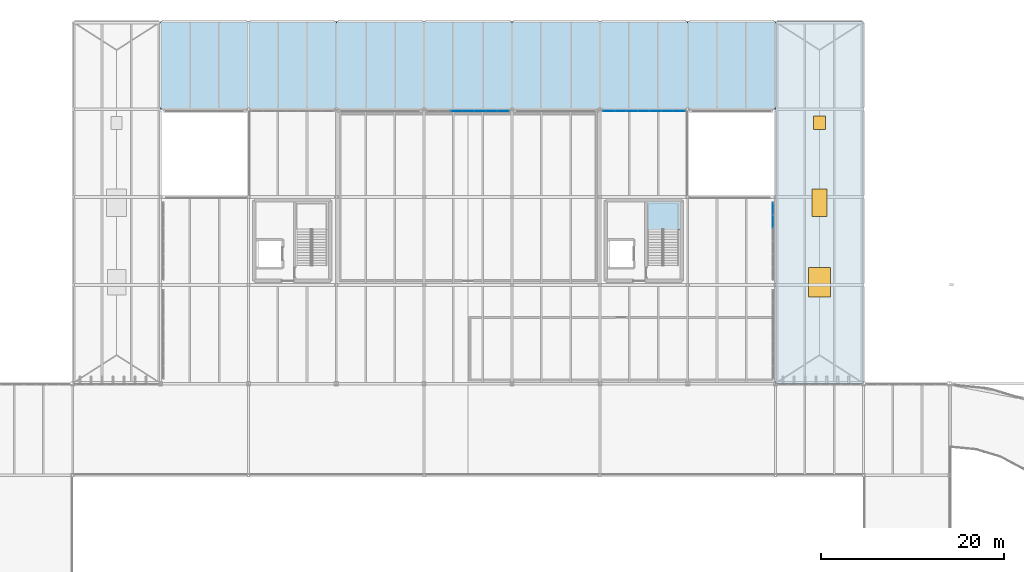
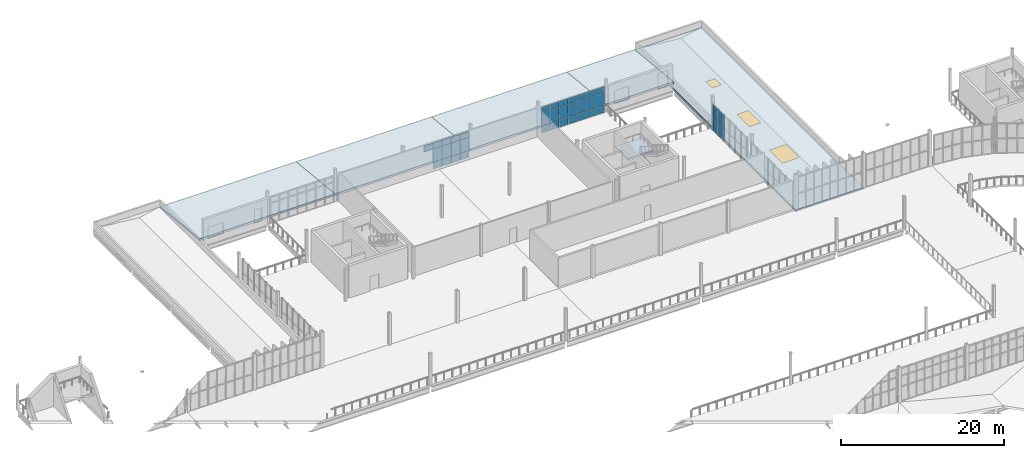
# One storey, part 82 of 112: 38 plates, 6 slabs, 2 windows, 1 door, 3 openings, 4 elements without a shape of their own.
"""IFC4 building model written with IfcOpenShell, lengths in metres."""

from ifc_helpers import new_model, si_unit, direction, frame, origin, origin_2d, place, context, subcontext, project, spatial, polyline, rectangle, outline, extrude, material, layer, layer_set, type_object, element, fill, aggregate, save


model = new_model("IFC4")

# Units and contexts
model_context = context("Model", 3, precision=1e-05, world=origin(), true_north=direction((0.0, 1.0)))
body_context = subcontext(model_context, "Body", "Model", "MODEL_VIEW")
ifc_project = project(units=[si_unit("LENGTHUNIT", "METRE"), si_unit("AREAUNIT", "SQUARE_METRE"), si_unit("VOLUMEUNIT", "CUBIC_METRE"), si_unit("PLANEANGLEUNIT", "RADIAN"), si_unit("MASSUNIT", "GRAM", prefix="KILO")], contexts=[model_context])

# Site, building, storey
site_placement = place(None, origin())
site = spatial("IfcSite", under=ifc_project, at=site_placement, CompositionType="ELEMENT")
building_placement = place(site_placement, origin())
building = spatial("IfcBuilding", under=site, at=building_placement, Name="Yeouljin Market Hall", CompositionType="ELEMENT")
storey_placement = place(building_placement, frame((0.0, 0.0, 6.0)))
storey = spatial("IfcBuildingStorey", under=building, at=storey_placement, Name="L01", CompositionType="ELEMENT", Elevation=6.0)

# Curtain wall, plates
ifc_material_1 = material(Name="Thermally Broken Aluminium", Category="aluminium")
ifc_layer_1 = layer(ifc_material_1, 0.14990234375)
ifc_layer_set_1 = layer_set([ifc_layer_1], Name="Thermally Broken Aluminium")
curtain_wall_type_1 = type_object("IfcCurtainWallType", Name="CW_AcademyRibbon_System", PredefinedType="USERDEFINED", material=ifc_layer_set_1)
curtain_wall_1_placement = place(storey_placement, origin())
curtain_wall_1 = element("IfcCurtainWall", 1, at=curtain_wall_1_placement, inside=storey, type_object=curtain_wall_type_1, Name="Curtain wall CW-L01-W20", ObjectType="CURTAIN WALL", PredefinedType="USERDEFINED")
ifc_material_2 = material(Name="Anodised Bronze Spandrel Panel")
ifc_layer_2 = layer(ifc_material_2, 0.0439453125)
ifc_layer_set_2 = layer_set([ifc_layer_2], Name="Anodised Bronze Spandrel Panel")
plate_type_1 = type_object("IfcPlateType", Name="CWPanel_BronzeSpandrel_44", PredefinedType="CURTAIN_PANEL", material=ifc_layer_set_2)
plate_1_placement = place(storey_placement, frame((86.914306640625, 107.800048828125, 3.07421875), z_axis=(0.0, 0.0, 1.0), x_axis=(1.0, 0.0, 0.0)))
plate_1 = element("IfcPlate", 2, at=plate_1_placement, type_object=plate_type_1, Name="CW-05 panel 3.3", PredefinedType="CURTAIN_PANEL", context=body_context, shape_type="SweptSolid", body=[
    extrude(rectangle(XDim=1.23779296875, YDim=0.0439453125, at=origin_2d()), origin(), (0.0, 0.0, 1.0), 0.827880859375),
])
plate_2_placement = place(storey_placement, frame((88.199951171875, 107.800048828125, 0.0478515625), z_axis=(0.0, 0.0, 1.0), x_axis=(1.0, 0.0, 0.0)))
plate_2 = element("IfcPlate", 3, at=plate_2_placement, type_object=plate_type_1, Name="CW-05 panel 4.1", PredefinedType="CURTAIN_PANEL", context=body_context, shape_type="SweptSolid", body=[
    extrude(rectangle(XDim=1.23779296875, YDim=0.0439453125, at=origin_2d()), origin(), (0.0, 0.0, 1.0), 1.028076171875),
])
plate_3_placement = place(storey_placement, frame((88.199951171875, 107.800048828125, 1.1240234375), z_axis=(0.0, 0.0, 1.0), x_axis=(1.0, 0.0, 0.0)))
plate_3 = element("IfcPlate", 4, at=plate_3_placement, type_object=plate_type_1, Name="CW-05 panel 4.2", PredefinedType="CURTAIN_PANEL", context=body_context, shape_type="SweptSolid", body=[
    extrude(rectangle(XDim=1.23779296875, YDim=0.0439453125, at=origin_2d()), origin(), (0.0, 0.0, 1.0), 1.902099609375),
])
plate_4_placement = place(storey_placement, frame((88.199951171875, 107.800048828125, 3.07421875), z_axis=(0.0, 0.0, 1.0), x_axis=(1.0, 0.0, 0.0)))
plate_4 = element("IfcPlate", 5, at=plate_4_placement, type_object=plate_type_1, Name="CW-05 panel 4.3", PredefinedType="CURTAIN_PANEL", context=body_context, shape_type="SweptSolid", body=[
    extrude(rectangle(XDim=1.23779296875, YDim=0.0439453125, at=origin_2d()), origin(), (0.0, 0.0, 1.0), 0.827880859375),
])
plate_5_placement = place(storey_placement, frame((89.485595703125, 107.800048828125, 0.0478515625), z_axis=(0.0, 0.0, 1.0), x_axis=(1.0, 0.0, 0.0)))
plate_5 = element("IfcPlate", 6, at=plate_5_placement, type_object=plate_type_1, Name="CW-05 panel 5.1", PredefinedType="CURTAIN_PANEL", context=body_context, shape_type="SweptSolid", body=[
    extrude(rectangle(XDim=1.23779296875, YDim=0.0439453125, at=origin_2d()), origin(), (0.0, 0.0, 1.0), 1.028076171875),
])
plate_6_placement = place(storey_placement, frame((89.485595703125, 107.800048828125, 1.1240234375), z_axis=(0.0, 0.0, 1.0), x_axis=(1.0, 0.0, 0.0)))
plate_6 = element("IfcPlate", 7, at=plate_6_placement, type_object=plate_type_1, Name="CW-05 panel 5.2", PredefinedType="CURTAIN_PANEL", context=body_context, shape_type="SweptSolid", body=[
    extrude(rectangle(XDim=1.23779296875, YDim=0.0439453125, at=origin_2d()), origin(), (0.0, 0.0, 1.0), 1.902099609375),
])
plate_7_placement = place(storey_placement, frame((89.485595703125, 107.800048828125, 3.07421875), z_axis=(0.0, 0.0, 1.0), x_axis=(1.0, 0.0, 0.0)))
plate_7 = element("IfcPlate", 8, at=plate_7_placement, type_object=plate_type_1, Name="CW-05 panel 5.3", PredefinedType="CURTAIN_PANEL", context=body_context, shape_type="SweptSolid", body=[
    extrude(rectangle(XDim=1.23779296875, YDim=0.0439453125, at=origin_2d()), origin(), (0.0, 0.0, 1.0), 0.827880859375),
])
plate_8_placement = place(storey_placement, frame((90.771484375, 107.800048828125, 0.0478515625), z_axis=(0.0, 0.0, 1.0), x_axis=(1.0, 0.0, 0.0)))
plate_8 = element("IfcPlate", 9, at=plate_8_placement, type_object=plate_type_1, Name="CW-05 panel 6.1", PredefinedType="CURTAIN_PANEL", context=body_context, shape_type="SweptSolid", body=[
    extrude(rectangle(XDim=1.23779296875, YDim=0.0439453125, at=origin_2d()), origin(), (0.0, 0.0, 1.0), 1.028076171875),
])
plate_9_placement = place(storey_placement, frame((90.771484375, 107.800048828125, 1.1240234375), z_axis=(0.0, 0.0, 1.0), x_axis=(1.0, 0.0, 0.0)))
plate_9 = element("IfcPlate", 10, at=plate_9_placement, type_object=plate_type_1, Name="CW-05 panel 6.2", PredefinedType="CURTAIN_PANEL", context=body_context, shape_type="SweptSolid", body=[
    extrude(rectangle(XDim=1.23779296875, YDim=0.0439453125, at=origin_2d()), origin(), (0.0, 0.0, 1.0), 1.902099609375),
])
plate_10_placement = place(storey_placement, frame((90.771484375, 107.800048828125, 3.07421875), z_axis=(0.0, 0.0, 1.0), x_axis=(1.0, 0.0, 0.0)))
plate_10 = element("IfcPlate", 11, at=plate_10_placement, type_object=plate_type_1, Name="CW-05 panel 6.3", PredefinedType="CURTAIN_PANEL", context=body_context, shape_type="SweptSolid", body=[
    extrude(rectangle(XDim=1.23779296875, YDim=0.0439453125, at=origin_2d()), origin(), (0.0, 0.0, 1.0), 0.827880859375),
])
plate_11_placement = place(storey_placement, frame((92.045166015625, 107.800048828125, 0.0478515625), z_axis=(0.0, 0.0, 1.0), x_axis=(1.0, 0.0, 0.0)))
plate_11 = element("IfcPlate", 12, at=plate_11_placement, type_object=plate_type_1, Name="CW-05 panel 7.1", PredefinedType="CURTAIN_PANEL", context=body_context, shape_type="SweptSolid", body=[
    extrude(rectangle(XDim=1.213623046875, YDim=0.0439453125, at=origin_2d()), origin(), (0.0, 0.0, 1.0), 1.028076171875),
])
plate_12_placement = place(storey_placement, frame((92.045166015625, 107.800048828125, 1.1240234375), z_axis=(0.0, 0.0, 1.0), x_axis=(1.0, 0.0, 0.0)))
plate_12 = element("IfcPlate", 13, at=plate_12_placement, type_object=plate_type_1, Name="CW-05 panel 7.2", PredefinedType="CURTAIN_PANEL", context=body_context, shape_type="SweptSolid", body=[
    extrude(rectangle(XDim=1.213623046875, YDim=0.0439453125, at=origin_2d()), origin(), (0.0, 0.0, 1.0), 1.902099609375),
])
plate_13_placement = place(storey_placement, frame((92.045166015625, 107.800048828125, 3.07421875), z_axis=(0.0, 0.0, 1.0), x_axis=(1.0, 0.0, 0.0)))
plate_13 = element("IfcPlate", 14, at=plate_13_placement, type_object=plate_type_1, Name="CW-05 panel 7.3", PredefinedType="CURTAIN_PANEL", context=body_context, shape_type="SweptSolid", body=[
    extrude(rectangle(XDim=1.213623046875, YDim=0.0439453125, at=origin_2d()), origin(), (0.0, 0.0, 1.0), 0.827880859375),
])
aggregate(curtain_wall_1, [plate_1, plate_2, plate_3, plate_4, plate_5, plate_6, plate_7, plate_8, plate_9, plate_10, plate_11, plate_12, plate_13])

curtain_wall_2_placement = place(storey_placement, origin())
curtain_wall_2 = element("IfcCurtainWall", 15, at=curtain_wall_2_placement, inside=storey, type_object=curtain_wall_type_1, Name="Curtain wall CW-L01-W22", ObjectType="CURTAIN WALL", PredefinedType="USERDEFINED")
ifc_material_3 = material(Name="Low-E Insulated Glass", Category="glass")
ifc_layer_3 = layer(ifc_material_3, 0.028076171875)
ifc_layer_set_3 = layer_set([ifc_layer_3], Name="Low-E Insulated Glass")
plate_type_2 = type_object("IfcPlateType", Name="CWPanel_LowE_28", PredefinedType="CURTAIN_PANEL", material=ifc_layer_set_3)
plate_14_placement = place(storey_placement, frame((103.554931640625, 107.800048828125, 0.0478515625), z_axis=(0.0, 0.0, 1.0), x_axis=(1.0, 0.0, 0.0)))
plate_14 = element("IfcPlate", 16, at=plate_14_placement, type_object=plate_type_2, Name="CW-05 panel 1.1", PredefinedType="CURTAIN_PANEL", context=body_context, shape_type="SweptSolid", body=[
    extrude(rectangle(XDim=1.213623046875, YDim=0.028076171875, at=origin_2d()), origin(), (0.0, 0.0, 1.0), 1.028076171875),
])
plate_15_placement = place(storey_placement, frame((103.554931640625, 107.800048828125, 1.1240234375), z_axis=(0.0, 0.0, 1.0), x_axis=(1.0, 0.0, 0.0)))
plate_15 = element("IfcPlate", 17, at=plate_15_placement, type_object=plate_type_2, Name="CW-05 panel 1.2", PredefinedType="CURTAIN_PANEL", context=body_context, shape_type="SweptSolid", body=[
    extrude(rectangle(XDim=1.213623046875, YDim=0.028076171875, at=origin_2d()), origin(), (0.0, 0.0, 1.0), 1.902099609375),
])
plate_16_placement = place(storey_placement, frame((103.554931640625, 107.800048828125, 3.07421875), z_axis=(0.0, 0.0, 1.0), x_axis=(1.0, 0.0, 0.0)))
plate_16 = element("IfcPlate", 18, at=plate_16_placement, type_object=plate_type_2, Name="CW-05 panel 1.3", PredefinedType="CURTAIN_PANEL", context=body_context, shape_type="SweptSolid", body=[
    extrude(rectangle(XDim=1.213623046875, YDim=0.028076171875, at=origin_2d()), origin(), (0.0, 0.0, 1.0), 0.827880859375),
])
plate_17_placement = place(storey_placement, frame((104.82861328125, 107.800048828125, 0.0478515625), z_axis=(0.0, 0.0, 1.0), x_axis=(1.0, 0.0, 0.0)))
plate_17 = element("IfcPlate", 19, at=plate_17_placement, type_object=plate_type_2, Name="CW-05 panel 2.1", PredefinedType="CURTAIN_PANEL", context=body_context, shape_type="SweptSolid", body=[
    extrude(rectangle(XDim=1.23779296875, YDim=0.028076171875, at=origin_2d()), origin(), (0.0, 0.0, 1.0), 1.028076171875),
])
plate_18_placement = place(storey_placement, frame((104.82861328125, 107.800048828125, 1.1240234375), z_axis=(0.0, 0.0, 1.0), x_axis=(1.0, 0.0, 0.0)))
plate_18 = element("IfcPlate", 20, at=plate_18_placement, type_object=plate_type_2, Name="CW-05 panel 2.2", PredefinedType="CURTAIN_PANEL", context=body_context, shape_type="SweptSolid", body=[
    extrude(rectangle(XDim=1.23779296875, YDim=0.028076171875, at=origin_2d()), origin(), (0.0, 0.0, 1.0), 1.902099609375),
])
plate_19_placement = place(storey_placement, frame((104.82861328125, 107.800048828125, 3.07421875), z_axis=(0.0, 0.0, 1.0), x_axis=(1.0, 0.0, 0.0)))
plate_19 = element("IfcPlate", 21, at=plate_19_placement, type_object=plate_type_2, Name="CW-05 panel 2.3", PredefinedType="CURTAIN_PANEL", context=body_context, shape_type="SweptSolid", body=[
    extrude(rectangle(XDim=1.23779296875, YDim=0.028076171875, at=origin_2d()), origin(), (0.0, 0.0, 1.0), 0.827880859375),
])
plate_20_placement = place(storey_placement, frame((106.1142578125, 107.800048828125, 0.0478515625), z_axis=(0.0, 0.0, 1.0), x_axis=(1.0, 0.0, 0.0)))
plate_20 = element("IfcPlate", 22, at=plate_20_placement, type_object=plate_type_2, Name="CW-05 panel 3.1", PredefinedType="CURTAIN_PANEL", context=body_context, shape_type="SweptSolid", body=[
    extrude(rectangle(XDim=1.23779296875, YDim=0.028076171875, at=origin_2d()), origin(), (0.0, 0.0, 1.0), 1.028076171875),
])
plate_21_placement = place(storey_placement, frame((106.1142578125, 107.800048828125, 1.1240234375), z_axis=(0.0, 0.0, 1.0), x_axis=(1.0, 0.0, 0.0)))
plate_21 = element("IfcPlate", 23, at=plate_21_placement, type_object=plate_type_2, Name="CW-05 panel 3.2", PredefinedType="CURTAIN_PANEL", context=body_context, shape_type="SweptSolid", body=[
    extrude(rectangle(XDim=1.23779296875, YDim=0.028076171875, at=origin_2d()), origin(), (0.0, 0.0, 1.0), 1.902099609375),
])
plate_22_placement = place(storey_placement, frame((106.1142578125, 107.800048828125, 3.07421875), z_axis=(0.0, 0.0, 1.0), x_axis=(1.0, 0.0, 0.0)))
plate_22 = element("IfcPlate", 24, at=plate_22_placement, type_object=plate_type_2, Name="CW-05 panel 3.3", PredefinedType="CURTAIN_PANEL", context=body_context, shape_type="SweptSolid", body=[
    extrude(rectangle(XDim=1.23779296875, YDim=0.028076171875, at=origin_2d()), origin(), (0.0, 0.0, 1.0), 0.827880859375),
])
plate_23_placement = place(storey_placement, frame((107.39990234375, 107.800048828125, 0.0478515625), z_axis=(0.0, 0.0, 1.0), x_axis=(1.0, 0.0, 0.0)))
plate_23 = element("IfcPlate", 25, at=plate_23_placement, type_object=plate_type_2, Name="CW-05 panel 4.1", PredefinedType="CURTAIN_PANEL", context=body_context, shape_type="SweptSolid", body=[
    extrude(rectangle(XDim=1.23779296875, YDim=0.028076171875, at=origin_2d()), origin(), (0.0, 0.0, 1.0), 1.028076171875),
])
plate_24_placement = place(storey_placement, frame((107.39990234375, 107.800048828125, 1.1240234375), z_axis=(0.0, 0.0, 1.0), x_axis=(1.0, 0.0, 0.0)))
plate_24 = element("IfcPlate", 26, at=plate_24_placement, type_object=plate_type_2, Name="CW-05 panel 4.2", PredefinedType="CURTAIN_PANEL", context=body_context, shape_type="SweptSolid", body=[
    extrude(rectangle(XDim=1.23779296875, YDim=0.028076171875, at=origin_2d()), origin(), (0.0, 0.0, 1.0), 1.902099609375),
])
plate_25_placement = place(storey_placement, frame((107.39990234375, 107.800048828125, 3.07421875), z_axis=(0.0, 0.0, 1.0), x_axis=(1.0, 0.0, 0.0)))
plate_25 = element("IfcPlate", 27, at=plate_25_placement, type_object=plate_type_2, Name="CW-05 panel 4.3", PredefinedType="CURTAIN_PANEL", context=body_context, shape_type="SweptSolid", body=[
    extrude(rectangle(XDim=1.23779296875, YDim=0.028076171875, at=origin_2d()), origin(), (0.0, 0.0, 1.0), 0.827880859375),
])
plate_26_placement = place(storey_placement, frame((108.685791015625, 107.800048828125, 0.0478515625), z_axis=(0.0, 0.0, 1.0), x_axis=(1.0, 0.0, 0.0)))
plate_26 = element("IfcPlate", 28, at=plate_26_placement, type_object=plate_type_2, Name="CW-05 panel 5.1", PredefinedType="CURTAIN_PANEL", context=body_context, shape_type="SweptSolid", body=[
    extrude(rectangle(XDim=1.23779296875, YDim=0.028076171875, at=origin_2d()), origin(), (0.0, 0.0, 1.0), 1.028076171875),
])
plate_27_placement = place(storey_placement, frame((108.685791015625, 107.800048828125, 1.1240234375), z_axis=(0.0, 0.0, 1.0), x_axis=(1.0, 0.0, 0.0)))
plate_27 = element("IfcPlate", 29, at=plate_27_placement, type_object=plate_type_2, Name="CW-05 panel 5.2", PredefinedType="CURTAIN_PANEL", context=body_context, shape_type="SweptSolid", body=[
    extrude(rectangle(XDim=1.23779296875, YDim=0.028076171875, at=origin_2d()), origin(), (0.0, 0.0, 1.0), 1.902099609375),
])
plate_28_placement = place(storey_placement, frame((108.685791015625, 107.800048828125, 3.07421875), z_axis=(0.0, 0.0, 1.0), x_axis=(1.0, 0.0, 0.0)))
plate_28 = element("IfcPlate", 30, at=plate_28_placement, type_object=plate_type_2, Name="CW-05 panel 5.3", PredefinedType="CURTAIN_PANEL", context=body_context, shape_type="SweptSolid", body=[
    extrude(rectangle(XDim=1.23779296875, YDim=0.028076171875, at=origin_2d()), origin(), (0.0, 0.0, 1.0), 0.827880859375),
])
plate_29_placement = place(storey_placement, frame((109.971435546875, 107.800048828125, 0.0478515625), z_axis=(0.0, 0.0, 1.0), x_axis=(1.0, 0.0, 0.0)))
plate_29 = element("IfcPlate", 31, at=plate_29_placement, type_object=plate_type_2, Name="CW-05 panel 6.1", PredefinedType="CURTAIN_PANEL", context=body_context, shape_type="SweptSolid", body=[
    extrude(rectangle(XDim=1.23779296875, YDim=0.028076171875, at=origin_2d()), origin(), (0.0, 0.0, 1.0), 1.028076171875),
])
plate_30_placement = place(storey_placement, frame((109.971435546875, 107.800048828125, 1.1240234375), z_axis=(0.0, 0.0, 1.0), x_axis=(1.0, 0.0, 0.0)))
plate_30 = element("IfcPlate", 32, at=plate_30_placement, type_object=plate_type_2, Name="CW-05 panel 6.2", PredefinedType="CURTAIN_PANEL", context=body_context, shape_type="SweptSolid", body=[
    extrude(rectangle(XDim=1.23779296875, YDim=0.028076171875, at=origin_2d()), origin(), (0.0, 0.0, 1.0), 1.902099609375),
])
plate_31_placement = place(storey_placement, frame((109.971435546875, 107.800048828125, 3.07421875), z_axis=(0.0, 0.0, 1.0), x_axis=(1.0, 0.0, 0.0)))
plate_31 = element("IfcPlate", 33, at=plate_31_placement, type_object=plate_type_2, Name="CW-05 panel 6.3", PredefinedType="CURTAIN_PANEL", context=body_context, shape_type="SweptSolid", body=[
    extrude(rectangle(XDim=1.23779296875, YDim=0.028076171875, at=origin_2d()), origin(), (0.0, 0.0, 1.0), 0.827880859375),
])
plate_32_placement = place(storey_placement, frame((111.2451171875, 107.800048828125, 0.0478515625), z_axis=(0.0, 0.0, 1.0), x_axis=(1.0, 0.0, 0.0)))
plate_32 = element("IfcPlate", 34, at=plate_32_placement, type_object=plate_type_2, Name="CW-05 panel 7.1", PredefinedType="CURTAIN_PANEL", context=body_context, shape_type="SweptSolid", body=[
    extrude(rectangle(XDim=1.213623046875, YDim=0.028076171875, at=origin_2d()), origin(), (0.0, 0.0, 1.0), 1.028076171875),
])
plate_33_placement = place(storey_placement, frame((111.2451171875, 107.800048828125, 1.1240234375), z_axis=(0.0, 0.0, 1.0), x_axis=(1.0, 0.0, 0.0)))
plate_33 = element("IfcPlate", 35, at=plate_33_placement, type_object=plate_type_2, Name="CW-05 panel 7.2", PredefinedType="CURTAIN_PANEL", context=body_context, shape_type="SweptSolid", body=[
    extrude(rectangle(XDim=1.213623046875, YDim=0.028076171875, at=origin_2d()), origin(), (0.0, 0.0, 1.0), 1.902099609375),
])
plate_34_placement = place(storey_placement, frame((111.2451171875, 107.800048828125, 3.07421875), z_axis=(0.0, 0.0, 1.0), x_axis=(1.0, 0.0, 0.0)))
plate_34 = element("IfcPlate", 36, at=plate_34_placement, type_object=plate_type_2, Name="CW-05 panel 7.3", PredefinedType="CURTAIN_PANEL", context=body_context, shape_type="SweptSolid", body=[
    extrude(rectangle(XDim=1.213623046875, YDim=0.028076171875, at=origin_2d()), origin(), (0.0, 0.0, 1.0), 0.827880859375),
])
aggregate(curtain_wall_2, [plate_14, plate_15, plate_16, plate_17, plate_18, plate_19, plate_20, plate_21, plate_22, plate_23, plate_24, plate_25, plate_26, plate_27, plate_28, plate_29, plate_30, plate_31, plate_32, plate_33, plate_34])

ifc_material_4 = material(Name="Thermally Broken Aluminium", Category="aluminium")
ifc_layer_4 = layer(ifc_material_4, 0.14990234375)
ifc_layer_set_4 = layer_set([ifc_layer_4], Name="Thermally Broken Aluminium")
curtain_wall_type_2 = type_object("IfcCurtainWallType", Name="CW_WingStorefront_System", PredefinedType="USERDEFINED", material=ifc_layer_set_4)
curtain_wall_3_placement = place(storey_placement, origin())
curtain_wall_3 = element("IfcCurtainWall", 37, at=curtain_wall_3_placement, inside=storey, type_object=curtain_wall_type_2, Name="Curtain wall CW-CRT-L01-23", ObjectType="CURTAIN WALL", PredefinedType="USERDEFINED")
plate_35_placement = place(storey_placement, frame((121.5, 97.129638671875, 0.0478515625), z_axis=(0.0, 0.0, 1.0), x_axis=(0.0, -1.0, 0.0)))
plate_35 = element("IfcPlate", 38, at=plate_35_placement, type_object=plate_type_2, Name="CW-04 panel 1.1", PredefinedType="CURTAIN_PANEL", context=body_context, shape_type="SweptSolid", body=[
    extrude(rectangle(XDim=1.3447265625, YDim=0.028076171875, at=origin_2d()), origin(), (0.0, 0.0, 1.0), 1.903076171875),
])
plate_36_placement = place(storey_placement, frame((121.5, 97.129638671875, 1.9990234375), z_axis=(0.0, 0.0, 1.0), x_axis=(0.0, -1.0, 0.0)))
plate_36 = element("IfcPlate", 39, at=plate_36_placement, type_object=plate_type_2, Name="CW-04 panel 1.2", PredefinedType="CURTAIN_PANEL", context=body_context, shape_type="SweptSolid", body=[
    extrude(rectangle(XDim=1.3447265625, YDim=0.028076171875, at=origin_2d()), origin(), (0.0, 0.0, 1.0), 1.903076171875),
])
plate_37_placement = place(storey_placement, frame((121.5, 95.72509765625, 0.0478515625), z_axis=(0.0, 0.0, 1.0), x_axis=(0.0, -1.0, 0.0)))
plate_37 = element("IfcPlate", 40, at=plate_37_placement, type_object=plate_type_2, Name="CW-04 panel 2.1", PredefinedType="CURTAIN_PANEL", context=body_context, shape_type="SweptSolid", body=[
    extrude(rectangle(XDim=1.36865234375, YDim=0.028076171875, at=origin_2d()), origin(), (0.0, 0.0, 1.0), 1.903076171875),
])
plate_38_placement = place(storey_placement, frame((121.5, 95.72509765625, 1.9990234375), z_axis=(0.0, 0.0, 1.0), x_axis=(0.0, -1.0, 0.0)))
plate_38 = element("IfcPlate", 41, at=plate_38_placement, type_object=plate_type_2, Name="CW-04 panel 2.2", PredefinedType="CURTAIN_PANEL", context=body_context, shape_type="SweptSolid", body=[
    extrude(rectangle(XDim=1.36865234375, YDim=0.028076171875, at=origin_2d()), origin(), (0.0, 0.0, 1.0), 1.903076171875),
])
aggregate(curtain_wall_3, [plate_35, plate_36, plate_37, plate_38])

# Slab, openings, door, windows
ifc_material_5 = material(Name="Concrete C30/37", Category="concrete")
ifc_layer_5 = layer(ifc_material_5, 0.2900390625)
ifc_layer_set_5 = layer_set([ifc_layer_5], Name="Concrete C30/37")
slab_type_1 = type_object("IfcSlabType", Name="SLB_ROOF_225", PredefinedType="ROOF", material=ifc_layer_set_5)
slab_1_placement = place(storey_placement, frame((0.0, 0.0, -0.280029296875)))
slab_1 = element("IfcSlab", 42, at=slab_1_placement, inside=storey, type_object=slab_type_1, Name="Wing structural roof slab RSLB-V4-L01E", PredefinedType="ROOF", context=body_context, shape_type="SweptSolid", body=[
    extrude(outline(polyline([(121.800048828125, 78.0), (131.39990234375, 78.0), (131.39990234375, 117.60009765625), (121.800048828125, 117.60009765625), (121.800048828125, 78.0)])), origin(), (0.0, 0.0, 1.0), 0.2900390625),
])
opening_1_placement = place(slab_1_placement, frame((126.60009765625, 89.087890625, 0.0)))
opening_1 = element("IfcOpeningElement", 43, at=opening_1_placement, cuts=slab_1, Name="Opening SK-05", PredefinedType="OPENING", context=body_context, shape_type="SweptSolid", body=[
    extrude(rectangle(XDim=2.39990234375, YDim=3.199951171875, at=origin_2d()), origin(), (0.0, 0.0, 1.0), 0.2900390625),
])
opening_2_placement = place(slab_1_placement, frame((126.60009765625, 97.800048828125, 0.0)))
opening_2 = element("IfcOpeningElement", 44, at=opening_2_placement, cuts=slab_1, Name="Opening SK-06", PredefinedType="OPENING", context=body_context, shape_type="SweptSolid", body=[
    extrude(rectangle(XDim=1.60009765625, YDim=3.0, at=origin_2d()), origin(), (0.0, 0.0, 1.0), 0.2900390625),
])
opening_3_placement = place(slab_1_placement, frame((126.60009765625, 106.511962890625, 0.0)))
opening_3 = element("IfcOpeningElement", 45, at=opening_3_placement, cuts=slab_1, Name="Opening HT-02", PredefinedType="OPENING", context=body_context, shape_type="SweptSolid", body=[
    extrude(rectangle(XDim=1.300048828125, YDim=1.5, at=origin_2d()), origin(), (0.0, 0.0, 1.0), 0.2900390625),
])
ifc_material_6 = material(Name="Galvanised Painted Steel", Category="steel")
door_type = type_object("IfcDoorType", Name="DT-HT130", OperationType="SINGLE_SWING_LEFT", PredefinedType="TRAPDOOR", material=ifc_material_6)
door_placement = place(opening_3_placement, frame((0.0, 0.0, 0.239990234375)))
door = element("IfcDoor", 46, at=door_placement, inside=storey, type_object=door_type, Name="Roof maintenance access hatch HT-02", OperationType="SINGLE_SWING_LEFT", OverallHeight=1.5, OverallWidth=1.300048828125, PredefinedType="TRAPDOOR", context=body_context, shape_type="SweptSolid", body=[
    extrude(rectangle(XDim=1.300048828125, YDim=1.5, at=origin_2d()), origin(), (0.0, 0.0, 1.0), 0.050048828125),
])
fill(opening_3, door)
ifc_material_7 = material(Name="Low-E Insulated Glass", Category="glass")
window_type_1 = type_object("IfcWindowType", Name="Skylight_1600x3000", PartitioningType="SINGLE_PANEL", PredefinedType="SKYLIGHT", material=ifc_material_7)
window_1_placement = place(opening_2_placement, frame((0.0, 0.0, 0.239990234375)))
window_1 = element("IfcWindow", 47, at=window_1_placement, inside=storey, type_object=window_type_1, Name="Roof skylight 06", OverallHeight=3.0, OverallWidth=1.60009765625, PartitioningType="SINGLE_PANEL", PredefinedType="SKYLIGHT", context=body_context, shape_type="SweptSolid", body=[
    extrude(rectangle(XDim=1.60009765625, YDim=3.0, at=origin_2d()), origin(), (0.0, 0.0, 1.0), 0.050048828125),
])
fill(opening_2, window_1)
ifc_material_8 = material(Name="Low-E Insulated Glass", Category="glass")
window_type_2 = type_object("IfcWindowType", Name="Skylight_2400x3200", PartitioningType="SINGLE_PANEL", PredefinedType="SKYLIGHT", material=ifc_material_8)
window_2_placement = place(opening_1_placement, frame((0.0, 0.0, 0.239990234375)))
window_2 = element("IfcWindow", 48, at=window_2_placement, inside=storey, type_object=window_type_2, Name="Roof skylight 05", OverallHeight=3.199951171875, OverallWidth=2.39990234375, PartitioningType="SINGLE_PANEL", PredefinedType="SKYLIGHT", context=body_context, shape_type="SweptSolid", body=[
    extrude(rectangle(XDim=2.39990234375, YDim=3.199951171875, at=origin_2d()), origin(), (0.0, 0.0, 1.0), 0.050048828125),
])
fill(opening_1, window_2)

# Slabs
for number, where, z_axis, x_axis, name in (
    (49, (54.60009765625, 108.0, 1.02001953125), (0.0, 0.104630806133, 0.994511133376), (0.0, 0.994511133376, -0.104630806133), "North HGV dock sloped canopy roof 1"),
    (50, (73.800048828125, 108.0, 1.02001953125), (0.0, 0.104630806133, 0.994511133376), (0.0, 0.994511133376, -0.104630806133), "North HGV dock sloped canopy roof 2"),
    (51, (93.0, 108.0, 1.02001953125), (0.0, 0.104630806133, 0.994511133376), (0.0, 0.994511133376, -0.104630806133), "North HGV dock sloped canopy roof 3"),
):
    element("IfcSlab", number, at=place(storey_placement, frame(where, z_axis=z_axis, x_axis=x_axis)), inside=storey, type_object=slab_type_1, Name=name, PredefinedType="ROOF", context=body_context, shape_type="SweptSolid", body=[
        extrude(outline(polyline([(0.0, 0.0), (9.653082136612877, 0.0), (9.653082136612877, -19.199951171875), (0.0, -19.199951171875), (0.0, 0.0)])), origin(), (0.0, 0.0, -1.0), 0.2900390625),
    ])
slab_2_placement = place(storey_placement, frame((112.199951171875, 108.0, 1.02001953125), z_axis=(0.0, 0.104630806133, 0.994511133376), x_axis=(0.0, 0.994511133376, -0.104630806133)))
element("IfcSlab", 52, at=slab_2_placement, inside=storey, type_object=slab_type_1, Name="North HGV dock sloped canopy roof 4", PredefinedType="ROOF", context=body_context, shape_type="SweptSolid", body=[
    extrude(outline(polyline([(0.0, 0.0), (9.653082136612877, 0.0), (9.653082136612877, -9.60009765625), (0.0, -9.60009765625), (0.0, 0.0)])), origin(), (0.0, 0.0, -1.0), 0.2900390625),
])

# Stair, slab
ifc_material_9 = material(Name="Concrete C30/37", Category="concrete")
stair_type = type_object("IfcStairType", Name="Stair_Core_L01_L02", PredefinedType="TWO_STRAIGHT_RUN_STAIR", material=ifc_material_9)
stair_placement = place(storey_placement, origin())
stair = element("IfcStair", 53, at=stair_placement, inside=storey, type_object=stair_type, Name="Enclosed exit stair ST-C6-L01", PredefinedType="TWO_STRAIGHT_RUN_STAIR")
ifc_material_10 = material(Name="Concrete C30/37", Category="concrete")
ifc_layer_6 = layer(ifc_material_10, 0.219970703125)
ifc_layer_set_6 = layer_set([ifc_layer_6], Name="Concrete C30/37")
slab_type_2 = type_object("IfcSlabType", Name="StairLanding_220", PredefinedType="LANDING", material=ifc_layer_set_6)
slab_3_placement = place(storey_placement, frame((0.0, 0.0, 2.179931640625)))
slab_3 = element("IfcSlab", 54, at=slab_3_placement, type_object=slab_type_2, Name="ST-C6-L01 landing 1", PredefinedType="LANDING", context=body_context, shape_type="SweptSolid", body=[
    extrude(outline(polyline([(107.679931640625, 94.85009765625), (111.429931640625, 94.85009765625), (111.429931640625, 97.929931640625), (107.679931640625, 97.929931640625), (107.679931640625, 94.85009765625)])), origin(), (0.0, 0.0, 1.0), 0.219970703125),
])
aggregate(stair, [slab_3])

save(model, "model.ifc")
